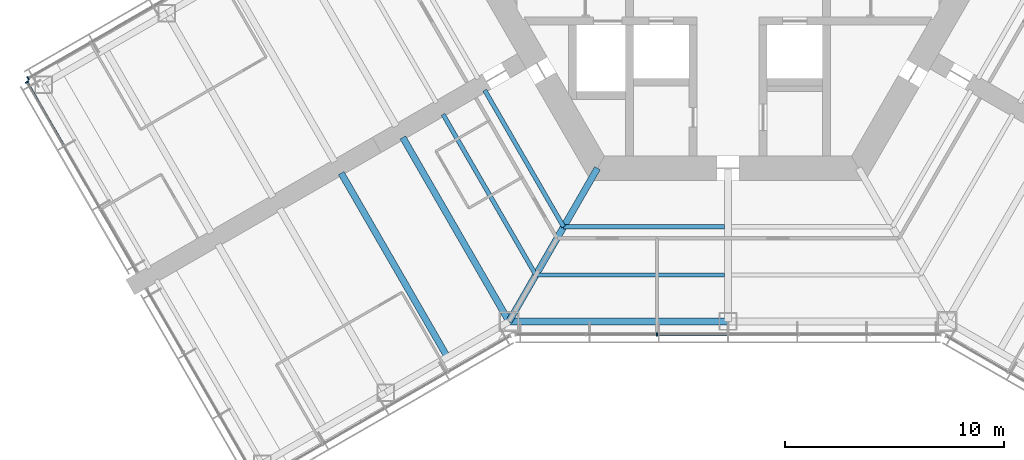
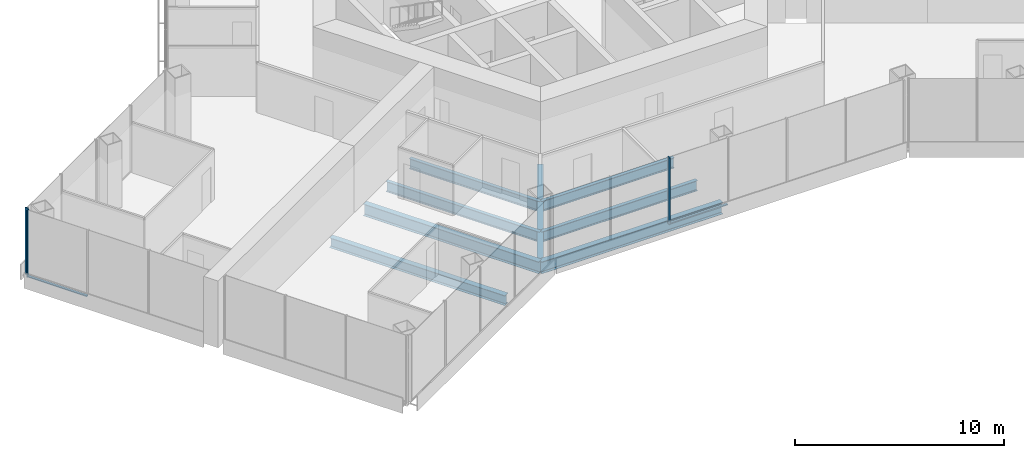
# One storey, part 3 of 18: 8 beams, 5 members, 3 elements without a shape of their own.
"""IFC4 building model written with IfcOpenShell, lengths in metres."""

from ifc_helpers import new_model, si_unit, direction, frame, origin, origin_2d, place, context, subcontext, project, spatial, rectangle, i_section, extrude, material, material_profile, profile_set, type_object, element, aggregate, save


model = new_model("IFC4")

# Units and contexts
model_context = context("Model", 3, precision=1e-05, world=origin(), true_north=direction((0.0, 1.0)))
body_context = subcontext(model_context, "Body", "Model", "MODEL_VIEW")
ifc_project = project(units=[si_unit("LENGTHUNIT", "METRE"), si_unit("AREAUNIT", "SQUARE_METRE"), si_unit("VOLUMEUNIT", "CUBIC_METRE"), si_unit("PLANEANGLEUNIT", "RADIAN"), si_unit("MASSUNIT", "GRAM", prefix="KILO")], contexts=[model_context])

# Site, building, storey
site_placement = place(None, origin())
site = spatial("IfcSite", under=ifc_project, at=site_placement, CompositionType="ELEMENT")
building_placement = place(site_placement, origin())
building = spatial("IfcBuilding", under=site, at=building_placement, Name="Kasaneha Research Tower", CompositionType="ELEMENT")
storey_placement = place(building_placement, frame((0.0, 0.0, 72.89990234375)))
storey = spatial("IfcBuildingStorey", under=building, at=storey_placement, Name="L18", CompositionType="ELEMENT", Elevation=72.89990234375)

# Beams
ifc_material_1 = material(Name="Steel SN490B", Category="steel")
ifc_material_profile_1 = material_profile(ifc_material_1, i_section(OverallWidth=0.199951171875, OverallDepth=0.60009765625, WebThickness=0.010986328125, FlangeThickness=0.01708984375, FilletRadius=0.012939453125, at=origin_2d()), Name="H-600x200x11x17")
ifc_profile_set_1 = profile_set([ifc_material_profile_1], Name="Steel SN490B")
beam_type_1 = type_object("IfcBeamType", Name="B1-3 secondary beam H-600x200x11x17", PredefinedType="JOIST", material=ifc_profile_set_1)
beam_1_placement = place(storey_placement, frame((-7.505615234375, -13.0, -0.449951171875), z_axis=(-0.499998147991, 0.86602647304, 0.0), x_axis=(-0.86602647304, -0.499998147991, 0.0)))
element("IfcBeam", 1, at=beam_1_placement, inside=storey, type_object=beam_type_1, Name="Secondary beam RS210R1 L18", PredefinedType="JOIST", context=body_context, shape_type="SweptSolid", body=[
    extrude(i_section(OverallWidth=0.199951171875, OverallDepth=0.60009765625, WebThickness=0.010986328125, FlangeThickness=0.01708984375, FilletRadius=0.012939453125, at=origin_2d()), origin(), (0.0, 0.0, 1.0), 7.20556640625),
])
beam_2_placement = place(storey_placement, frame((-8.775634765625, -15.199951171875, -0.449951171875), z_axis=(-0.500020829043, 0.866013377797, 0.0), x_axis=(-0.866013377797, -0.500020829043, 0.0)))
element("IfcBeam", 2, at=beam_2_placement, inside=storey, type_object=beam_type_1, Name="Secondary beam RS210R2 L18", PredefinedType="JOIST", context=body_context, shape_type="SweptSolid", body=[
    extrude(i_section(OverallWidth=0.199951171875, OverallDepth=0.60009765625, WebThickness=0.010986328125, FlangeThickness=0.01708984375, FilletRadius=0.012939453125, at=origin_2d()), origin(), (0.0, 0.0, 1.0), 8.475830078125),
])
beam_3_placement = place(storey_placement, frame((-7.505615234375, -13.0, -0.449951171875), z_axis=(1.0, 0.0, 0.0), x_axis=(0.0, 1.0, 0.0)))
element("IfcBeam", 3, at=beam_3_placement, inside=storey, type_object=beam_type_1, Name="Secondary beam RS270L1 L18", PredefinedType="JOIST", context=body_context, shape_type="SweptSolid", body=[
    extrude(i_section(OverallWidth=0.199951171875, OverallDepth=0.60009765625, WebThickness=0.010986328125, FlangeThickness=0.01708984375, FilletRadius=0.012939453125, at=origin_2d()), origin(), (0.0, 0.0, 1.0), 7.355712890625),
])
beam_4_placement = place(storey_placement, frame((-8.775634765625, -15.199951171875, -0.449951171875), z_axis=(1.0, 0.0, 0.0), x_axis=(0.0, 1.0, 0.0)))
element("IfcBeam", 4, at=beam_4_placement, inside=storey, type_object=beam_type_1, Name="Secondary beam RS270L2 L18", PredefinedType="JOIST", context=body_context, shape_type="SweptSolid", body=[
    extrude(i_section(OverallWidth=0.199951171875, OverallDepth=0.60009765625, WebThickness=0.010986328125, FlangeThickness=0.01708984375, FilletRadius=0.012939453125, at=origin_2d()), origin(), (0.0, 0.0, 1.0), 8.625732421875),
])
ifc_material_2 = material(Name="Steel SN490B", Category="steel")
ifc_material_profile_2 = material_profile(ifc_material_2, i_section(OverallWidth=0.300048828125, OverallDepth=0.58203125, WebThickness=0.011962890625, FlangeThickness=0.01708984375, FilletRadius=0.012939453125, at=origin_2d()), Name="H-582x300x12x17")
ifc_profile_set_2 = profile_set([ifc_material_profile_2], Name="Steel SN490B")
beam_type_2 = type_object("IfcBeamType", Name="B2-3 secondary beam H-582x300x12x17", PredefinedType="JOIST", material=ifc_profile_set_2)
beam_5_placement = place(storey_placement, frame((-12.814697265625, -18.945556640625, -0.44091796875), z_axis=(-0.499991164321, 0.866030505006, 0.0), x_axis=(-0.866030505006, -0.499991164321, 0.0)))
element("IfcBeam", 5, at=beam_5_placement, inside=storey, type_object=beam_type_2, Name="Secondary beam WBBN1 L18", PredefinedType="JOIST", context=body_context, shape_type="SweptSolid", body=[
    extrude(i_section(OverallWidth=0.300048828125, OverallDepth=0.58203125, WebThickness=0.011962890625, FlangeThickness=0.01708984375, FilletRadius=0.012939453125, at=origin_2d()), origin(), (0.0, 0.0, 1.0), 9.699951171875),
])

# Curtain wall, member
ifc_material_3 = material(Name="Glass and aluminium", Category="aluminium")
curtain_wall_type = type_object("IfcCurtainWallType", Name="Low-rise office curtain wall", PredefinedType="USERDEFINED", material=ifc_material_3)
curtain_wall_1_placement = place(storey_placement, origin())
curtain_wall_1 = element("IfcCurtainWall", 6, at=curtain_wall_1_placement, inside=storey, type_object=curtain_wall_type, Name="CW-O1 L18 run 02a", ObjectType="UNITISED CURTAIN WALL", PredefinedType="USERDEFINED")
ifc_material_4 = material(Name="Aluminium 6063-T6", Category="aluminium")
ifc_material_profile_3 = material_profile(ifc_material_4, rectangle(XDim=0.06005859375, YDim=0.159912109375, at=origin_2d()), Name="CW-O1 mullion 60x160")
ifc_profile_set_3 = profile_set([ifc_material_profile_3], Name="Aluminium 6063-T6")
member_type_1 = type_object("IfcMemberType", Name="CW-O1 mullion", PredefinedType="MULLION", material=ifc_profile_set_3)
member_1_placement = place(storey_placement, frame((-3.246337890625, -17.92041015625, 0.0), z_axis=(0.0, 0.0, 1.0), x_axis=(1.0, 0.0, 0.0)))
member_1 = element("IfcMember", 7, at=member_1_placement, type_object=member_type_1, Name="CW-O1 mullion 3", PredefinedType="MULLION", context=body_context, shape_type="SweptSolid", body=[
    extrude(rectangle(XDim=0.06005859375, YDim=0.159912109375, at=origin_2d()), origin(), (0.0, 0.0, 1.0), 3.900146484375),
])

curtain_wall_2_placement = place(storey_placement, origin())
curtain_wall_2 = element("IfcCurtainWall", 8, at=curtain_wall_2_placement, inside=storey, type_object=curtain_wall_type, Name="CW-O1 L18 run 13a", ObjectType="UNITISED CURTAIN WALL", PredefinedType="USERDEFINED")
member_2_placement = place(storey_placement, frame((-31.96533203125, -6.21533203125, 0.0), z_axis=(0.0, 0.0, 1.0), x_axis=(-0.866025411464, -0.499999986699, 0.0)))
member_2 = element("IfcMember", 9, at=member_2_placement, type_object=member_type_1, Name="CW-O1 mullion 5", PredefinedType="MULLION", context=body_context, shape_type="SweptSolid", body=[
    extrude(rectangle(XDim=0.06005859375, YDim=0.159912109375, at=origin_2d()), origin(), (0.0, 0.0, 1.0), 3.900146484375),
])
aggregate(curtain_wall_2, [member_2])

curtain_wall_3_placement = place(storey_placement, origin())
curtain_wall_3 = element("IfcCurtainWall", 10, at=curtain_wall_3_placement, inside=storey, type_object=curtain_wall_type, Name="CW-O1 L18 run 14a", ObjectType="UNITISED CURTAIN WALL", PredefinedType="USERDEFINED")
member_3_placement = place(storey_placement, frame((-32.012939453125, -6.39306640625, 0.0), z_axis=(0.0, 0.0, 1.0), x_axis=(0.500000011442, -0.866025397178, 0.0)))
member_3 = element("IfcMember", 11, at=member_3_placement, type_object=member_type_1, Name="CW-O1 mullion 1", PredefinedType="MULLION", context=body_context, shape_type="SweptSolid", body=[
    extrude(rectangle(XDim=0.06005859375, YDim=0.159912109375, at=origin_2d()), origin(), (0.0, 0.0, 1.0), 3.900146484375),
])

# Member
ifc_material_5 = material(Name="Aluminium 6063-T6", Category="aluminium")
ifc_material_profile_4 = material_profile(ifc_material_5, rectangle(XDim=0.1201171875, YDim=0.06005859375, at=origin_2d()), Name="CW-O1 transom 120x60")
ifc_profile_set_4 = profile_set([ifc_material_profile_4], Name="Aluminium 6063-T6")
member_type_2 = type_object("IfcMemberType", Name="CW-O1 transom", PredefinedType="USERDEFINED", material=ifc_profile_set_4)
member_4_placement = place(storey_placement, frame((-3.21630859375, -17.92041015625, 0.030029296875), z_axis=(1.0, 0.0, 0.0), x_axis=(0.0, 1.0, 0.0)))
member_4 = element("IfcMember", 12, at=member_4_placement, type_object=member_type_2, Name="CW-O1 transom 3", ObjectType="TRANSOM", PredefinedType="USERDEFINED", context=body_context, shape_type="SweptSolid", body=[
    extrude(rectangle(XDim=0.1201171875, YDim=0.06005859375, at=origin_2d()), origin(), (0.0, 0.0, 1.0), 3.186279296875),
])

aggregate(curtain_wall_1, [member_1, member_4])

member_5_placement = place(storey_placement, frame((-31.998046875, -6.4189453125, 0.030029296875), z_axis=(0.500025583411, -0.866010632691, 0.0), x_axis=(0.866010632691, 0.500025583411, 0.0)))
member_5 = element("IfcMember", 13, at=member_5_placement, type_object=member_type_2, Name="CW-O1 transom 1", ObjectType="TRANSOM", PredefinedType="USERDEFINED", context=body_context, shape_type="SweptSolid", body=[
    extrude(rectangle(XDim=0.1201171875, YDim=0.06005859375, at=origin_2d()), origin(), (0.0, 0.0, 1.0), 3.276611328125),
])

aggregate(curtain_wall_3, [member_3, member_5])

# Beams
ifc_material_6 = material(Name="Steel SN490B", Category="steel")
ifc_material_profile_5 = material_profile(ifc_material_6, i_section(OverallWidth=0.300048828125, OverallDepth=0.699951171875, WebThickness=0.012939453125, FlangeThickness=0.02392578125, FilletRadius=0.01806640625, at=origin_2d()), Name="H-700x300x13x24")
ifc_profile_set_5 = profile_set([ifc_material_profile_5], Name="Steel SN490B")
beam_type_3 = type_object("IfcBeamType", Name="G1-3 radial girder H-700x300x13x24", PredefinedType="BEAM", material=ifc_profile_set_5)
beam_6_placement = place(storey_placement, frame((-5.961181640625, -10.324951171875, -0.5), z_axis=(-0.49999105496, -0.866030568144, 0.0), x_axis=(0.866030568144, -0.49999105496, 0.0)))
element("IfcBeam", 14, at=beam_6_placement, inside=storey, type_object=beam_type_3, Name="Radial girder RV240 L18", PredefinedType="BEAM", context=body_context, shape_type="SweptSolid", body=[
    extrude(i_section(OverallWidth=0.300048828125, OverallDepth=0.699951171875, WebThickness=0.012939453125, FlangeThickness=0.02392578125, FilletRadius=0.01806640625, at=origin_2d()), origin(), (0.0, 0.0, 1.0), 8.077880859375),
])
ifc_material_7 = material(Name="Steel SN490B", Category="steel")
ifc_material_profile_6 = material_profile(ifc_material_7, i_section(OverallWidth=0.300048828125, OverallDepth=0.69189453125, WebThickness=0.012939453125, FlangeThickness=0.02001953125, FilletRadius=0.01806640625, at=origin_2d()), Name="H-692x300x13x20")
ifc_profile_set_6 = profile_set([ifc_material_profile_6], Name="Steel SN490B")
beam_type_4 = type_object("IfcBeamType", Name="G3-3 plate edge girder H-692x300x13x20", PredefinedType="BEAM", material=ifc_profile_set_6)
beam_7_placement = place(storey_placement, frame((-10.0, -17.320556640625, -0.495849609375), z_axis=(-0.500010041276, 0.866019606374, 0.0), x_axis=(-0.866019606374, -0.500010041276, 0.0)))
element("IfcBeam", 15, at=beam_7_placement, inside=storey, type_object=beam_type_4, Name="Plate edge girder PEBN L18", PredefinedType="BEAM", context=body_context, shape_type="SweptSolid", body=[
    extrude(i_section(OverallWidth=0.300048828125, OverallDepth=0.69189453125, WebThickness=0.012939453125, FlangeThickness=0.02001953125, FilletRadius=0.01806640625, at=origin_2d()), origin(), (0.0, 0.0, 1.0), 9.699951171875),
])
ifc_material_8 = material(Name="Steel SN490B", Category="steel")
ifc_material_profile_7 = material_profile(ifc_material_8, i_section(OverallWidth=0.300048828125, OverallDepth=0.69189453125, WebThickness=0.012939453125, FlangeThickness=0.02001953125, FilletRadius=0.01806640625, at=origin_2d()), Name="H-692x300x13x20")
ifc_profile_set_7 = profile_set([ifc_material_profile_7], Name="Steel SN490B")
beam_type_5 = type_object("IfcBeamType", Name="SB1-3 spandrel beam H-692x300x13x20", PredefinedType="SPANDREL", material=ifc_profile_set_7)
beam_8_placement = place(storey_placement, frame((-10.0, -17.320556640625, -0.495849609375), z_axis=(1.0, 0.0, 0.0), x_axis=(0.0, 1.0, 0.0)))
element("IfcBeam", 16, at=beam_8_placement, inside=storey, type_object=beam_type_5, Name="Spandrel beam SR270L L18", PredefinedType="SPANDREL", context=body_context, shape_type="SweptSolid", body=[
    extrude(i_section(OverallWidth=0.300048828125, OverallDepth=0.69189453125, WebThickness=0.012939453125, FlangeThickness=0.02001953125, FilletRadius=0.01806640625, at=origin_2d()), origin(), (0.0, 0.0, 1.0), 10.0),
])

save(model, "model.ifc")
